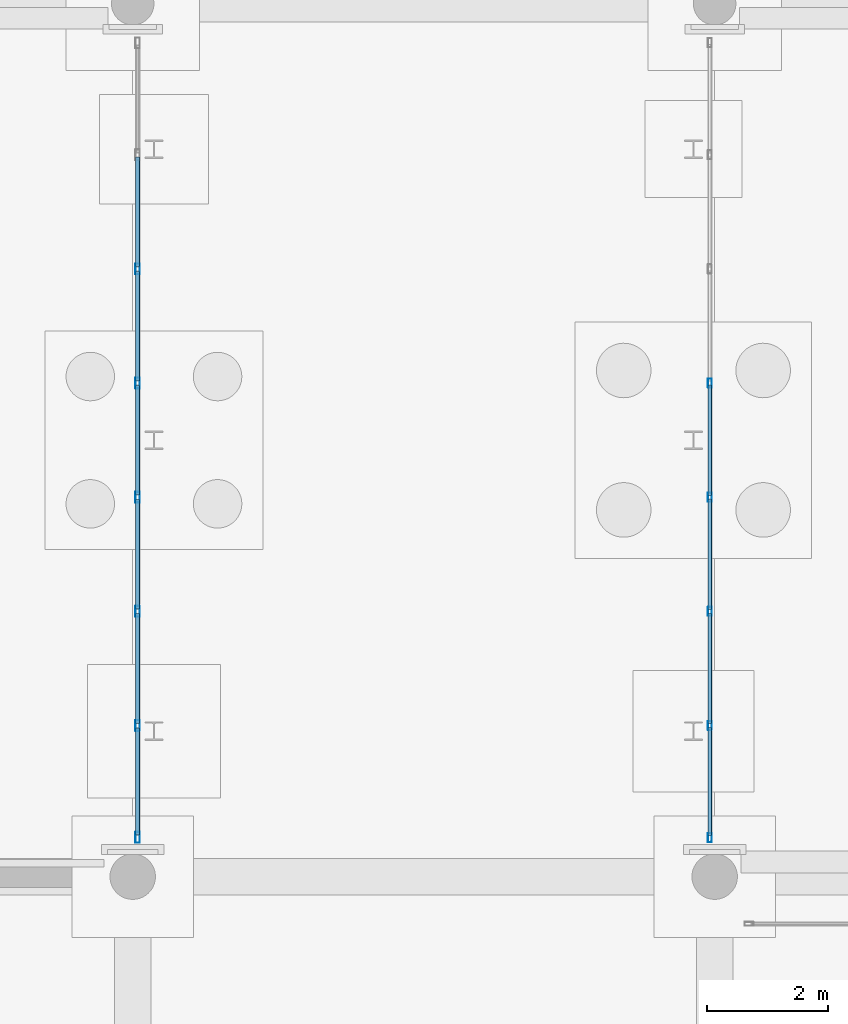
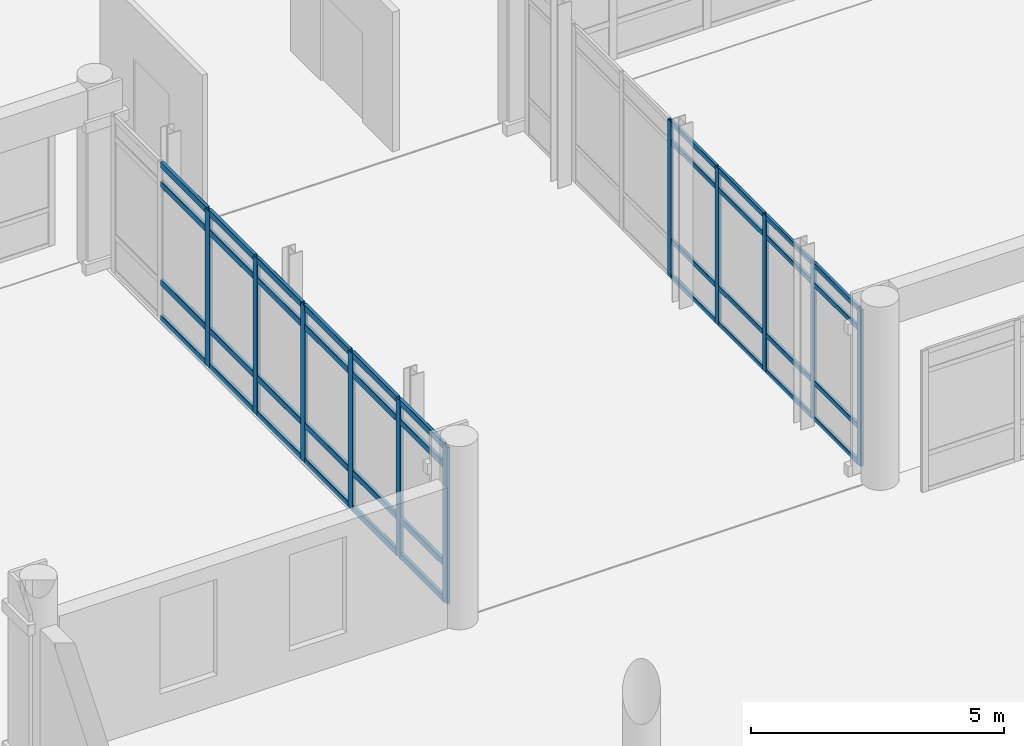
# One storey, part 112 of 196: 51 members, 2 elements without a shape of their own.
"""IFC4 building model written with IfcOpenShell, lengths in metres."""

from ifc_helpers import new_model, si_unit, direction, frame, origin, origin_2d, place, context, subcontext, project, spatial, hollow_rectangle, extrude, material, layer, layer_set, material_profile, profile_set, type_object, element, aggregate, save


model = new_model("IFC4")

# Units and contexts
model_context = context("Model", 3, precision=1e-05, world=origin(), true_north=direction((0.0, 1.0)))
body_context = subcontext(model_context, "Body", "Model", "MODEL_VIEW")
ifc_project = project(units=[si_unit("LENGTHUNIT", "METRE"), si_unit("AREAUNIT", "SQUARE_METRE"), si_unit("VOLUMEUNIT", "CUBIC_METRE"), si_unit("PLANEANGLEUNIT", "RADIAN"), si_unit("MASSUNIT", "GRAM", prefix="KILO")], contexts=[model_context])

# Site, building, storey
site_placement = place(None, origin())
site = spatial("IfcSite", under=ifc_project, at=site_placement, CompositionType="ELEMENT")
building_placement = place(site_placement, origin())
building = spatial("IfcBuilding", under=site, at=building_placement, Name="Asteropetra Specialist Clinic", CompositionType="ELEMENT")
storey_placement = place(building_placement, origin())
storey = spatial("IfcBuildingStorey", under=building, at=storey_placement, Name="L00", CompositionType="ELEMENT", Elevation=0.0)

# Curtain wall, members
ifc_material_1 = material(Name="Aluminium and low-E glass", Category="aluminium")
ifc_layer_1 = layer(ifc_material_1, 0.179931640625)
ifc_layer_set_1 = layer_set([ifc_layer_1], Name="Aluminium and low-E glass")
curtain_wall_type_1 = type_object("IfcCurtainWallType", Name="CW-SYS-01", PredefinedType="USERDEFINED", material=ifc_layer_set_1)
curtain_wall_1_placement = place(storey_placement, origin())
curtain_wall_1 = element("IfcCurtainWall", 1, at=curtain_wall_1_placement, inside=storey, type_object=curtain_wall_type_1, Name="Curtain Wall CW-118", ObjectType="UNITISED CURTAIN WALL", PredefinedType="USERDEFINED")
ifc_material_2 = material(Name="Aluminium 6063-T6", Category="aluminium")
ifc_material_profile_1 = material_profile(ifc_material_2, hollow_rectangle(XDim=0.06494140625, YDim=0.14990234375, WallThickness=0.00390625, InnerFilletRadius=0.00390625, OuterFilletRadius=0.008056640625, at=origin_2d()), Name="MUL 150x65x4.0")
ifc_profile_set_1 = profile_set([ifc_material_profile_1], Name="Aluminium 6063-T6")
member_type_1 = type_object("IfcMemberType", Name="CWM-150x65", PredefinedType="MULLION", material=ifc_profile_set_1)
member_1_placement = place(storey_placement, frame((124.719970703125, 70.54150390625, 0.0), z_axis=(0.0, 0.0, 1.0), x_axis=(1.0, 0.0, 0.0)))
member_1 = element("IfcMember", 2, at=member_1_placement, type_object=member_type_1, Name="CW-118 mullion 4", PredefinedType="MULLION", context=body_context, shape_type="SweptSolid", body=[
    extrude(hollow_rectangle(XDim=0.06494140625, YDim=0.14990234375, WallThickness=0.00390625, InnerFilletRadius=0.00390625, OuterFilletRadius=0.008056640625, at=origin_2d()), origin(), (0.0, 0.0, 1.0), 3.77001953125),
])
member_2_placement = place(storey_placement, frame((124.719970703125, 68.65869140625, 0.0), z_axis=(0.0, 0.0, 1.0), x_axis=(1.0, 0.0, 0.0)))
member_2 = element("IfcMember", 3, at=member_2_placement, type_object=member_type_1, Name="CW-118 mullion 5", PredefinedType="MULLION", context=body_context, shape_type="SweptSolid", body=[
    extrude(hollow_rectangle(XDim=0.06494140625, YDim=0.14990234375, WallThickness=0.00390625, InnerFilletRadius=0.00390625, OuterFilletRadius=0.008056640625, at=origin_2d()), origin(), (0.0, 0.0, 1.0), 3.77001953125),
])
member_3_placement = place(storey_placement, frame((124.719970703125, 66.775634765625, 0.0), z_axis=(0.0, 0.0, 1.0), x_axis=(1.0, 0.0, 0.0)))
member_3 = element("IfcMember", 4, at=member_3_placement, type_object=member_type_1, Name="CW-118 mullion 6", PredefinedType="MULLION", context=body_context, shape_type="SweptSolid", body=[
    extrude(hollow_rectangle(XDim=0.06494140625, YDim=0.14990234375, WallThickness=0.00390625, InnerFilletRadius=0.00390625, OuterFilletRadius=0.008056640625, at=origin_2d()), origin(), (0.0, 0.0, 1.0), 3.77001953125),
])
member_4_placement = place(storey_placement, frame((124.719970703125, 64.892822265625, 0.0), z_axis=(0.0, 0.0, 1.0), x_axis=(1.0, 0.0, 0.0)))
member_4 = element("IfcMember", 5, at=member_4_placement, type_object=member_type_1, Name="CW-118 mullion 7", PredefinedType="MULLION", context=body_context, shape_type="SweptSolid", body=[
    extrude(hollow_rectangle(XDim=0.06494140625, YDim=0.14990234375, WallThickness=0.00390625, InnerFilletRadius=0.00390625, OuterFilletRadius=0.008056640625, at=origin_2d()), origin(), (0.0, 0.0, 1.0), 3.77001953125),
])
member_5_placement = place(storey_placement, frame((124.719970703125, 63.04248046875, 0.0), z_axis=(0.0, 0.0, 1.0), x_axis=(1.0, 0.0, 0.0)))
member_5 = element("IfcMember", 6, at=member_5_placement, type_object=member_type_1, Name="CW-118 mullion 8", PredefinedType="MULLION", context=body_context, shape_type="SweptSolid", body=[
    extrude(hollow_rectangle(XDim=0.06494140625, YDim=0.14990234375, WallThickness=0.00390625, InnerFilletRadius=0.00390625, OuterFilletRadius=0.008056640625, at=origin_2d()), origin(), (0.0, 0.0, 1.0), 3.77001953125),
])

ifc_material_3 = material(Name="Aluminium and low-E glass", Category="aluminium")
ifc_layer_2 = layer(ifc_material_3, 0.135009765625)
ifc_layer_set_2 = layer_set([ifc_layer_2], Name="Aluminium and low-E glass")
curtain_wall_type_2 = type_object("IfcCurtainWallType", Name="CW-SYS-12", PredefinedType="USERDEFINED", material=ifc_layer_set_2)
curtain_wall_2_placement = place(storey_placement, origin())
curtain_wall_2 = element("IfcCurtainWall", 7, at=curtain_wall_2_placement, inside=storey, type_object=curtain_wall_type_2, Name="Curtain Wall CW-117", ObjectType="STICK GLAZED COLONNADE", PredefinedType="USERDEFINED")
ifc_material_4 = material(Name="Aluminium 6063-T6", Category="aluminium")
ifc_material_profile_2 = material_profile(ifc_material_4, hollow_rectangle(XDim=0.074951171875, YDim=0.179931640625, WallThickness=0.00390625, InnerFilletRadius=0.00390625, OuterFilletRadius=0.008056640625, at=origin_2d()), Name="MUL 180x75x4.0")
ifc_profile_set_2 = profile_set([ifc_material_profile_2], Name="Aluminium 6063-T6")
member_type_2 = type_object("IfcMemberType", Name="CWM-180x75", PredefinedType="MULLION", material=ifc_profile_set_2)
member_6_placement = place(storey_placement, frame((115.280029296875, 63.047607421875, 0.0), z_axis=(0.0, 0.0, 1.0), x_axis=(-1.0, 0.0, 0.0)))
member_6 = element("IfcMember", 8, at=member_6_placement, type_object=member_type_2, Name="CW-117 mullion 1", PredefinedType="MULLION", context=body_context, shape_type="SweptSolid", body=[
    extrude(hollow_rectangle(XDim=0.074951171875, YDim=0.179931640625, WallThickness=0.00390625, InnerFilletRadius=0.00390625, OuterFilletRadius=0.008056640625, at=origin_2d()), origin(), (0.0, 0.0, 1.0), 3.77001953125),
])
member_7_placement = place(storey_placement, frame((115.280029296875, 64.892822265625, 0.0), z_axis=(0.0, 0.0, 1.0), x_axis=(-1.0, 0.0, 0.0)))
member_7 = element("IfcMember", 9, at=member_7_placement, type_object=member_type_2, Name="CW-117 mullion 2", PredefinedType="MULLION", context=body_context, shape_type="SweptSolid", body=[
    extrude(hollow_rectangle(XDim=0.074951171875, YDim=0.179931640625, WallThickness=0.00390625, InnerFilletRadius=0.00390625, OuterFilletRadius=0.008056640625, at=origin_2d()), origin(), (0.0, 0.0, 1.0), 3.77001953125),
])
member_8_placement = place(storey_placement, frame((115.280029296875, 66.775634765625, 0.0), z_axis=(0.0, 0.0, 1.0), x_axis=(-1.0, 0.0, 0.0)))
member_8 = element("IfcMember", 10, at=member_8_placement, type_object=member_type_2, Name="CW-117 mullion 3", PredefinedType="MULLION", context=body_context, shape_type="SweptSolid", body=[
    extrude(hollow_rectangle(XDim=0.074951171875, YDim=0.179931640625, WallThickness=0.00390625, InnerFilletRadius=0.00390625, OuterFilletRadius=0.008056640625, at=origin_2d()), origin(), (0.0, 0.0, 1.0), 3.77001953125),
])
member_9_placement = place(storey_placement, frame((115.280029296875, 68.65869140625, 0.0), z_axis=(0.0, 0.0, 1.0), x_axis=(-1.0, 0.0, 0.0)))
member_9 = element("IfcMember", 11, at=member_9_placement, type_object=member_type_2, Name="CW-117 mullion 4", PredefinedType="MULLION", context=body_context, shape_type="SweptSolid", body=[
    extrude(hollow_rectangle(XDim=0.074951171875, YDim=0.179931640625, WallThickness=0.00390625, InnerFilletRadius=0.00390625, OuterFilletRadius=0.008056640625, at=origin_2d()), origin(), (0.0, 0.0, 1.0), 3.77001953125),
])
member_10_placement = place(storey_placement, frame((115.280029296875, 70.54150390625, 0.0), z_axis=(0.0, 0.0, 1.0), x_axis=(-1.0, 0.0, 0.0)))
member_10 = element("IfcMember", 12, at=member_10_placement, type_object=member_type_2, Name="CW-117 mullion 5", PredefinedType="MULLION", context=body_context, shape_type="SweptSolid", body=[
    extrude(hollow_rectangle(XDim=0.074951171875, YDim=0.179931640625, WallThickness=0.00390625, InnerFilletRadius=0.00390625, OuterFilletRadius=0.008056640625, at=origin_2d()), origin(), (0.0, 0.0, 1.0), 3.77001953125),
])
member_11_placement = place(storey_placement, frame((115.280029296875, 72.42431640625, 0.0), z_axis=(0.0, 0.0, 1.0), x_axis=(-1.0, 0.0, 0.0)))
member_11 = element("IfcMember", 13, at=member_11_placement, type_object=member_type_2, Name="CW-117 mullion 6", PredefinedType="MULLION", context=body_context, shape_type="SweptSolid", body=[
    extrude(hollow_rectangle(XDim=0.074951171875, YDim=0.179931640625, WallThickness=0.00390625, InnerFilletRadius=0.00390625, OuterFilletRadius=0.008056640625, at=origin_2d()), origin(), (0.0, 0.0, 1.0), 3.77001953125),
])

# Member
ifc_material_5 = material(Name="Aluminium 6063-T6", Category="aluminium")
ifc_material_profile_3 = material_profile(ifc_material_5, hollow_rectangle(XDim=0.06494140625, YDim=0.1201171875, WallThickness=0.00390625, InnerFilletRadius=0.00390625, OuterFilletRadius=0.008056640625, at=origin_2d()), Name="TRN 120x65x4.0")
ifc_profile_set_3 = profile_set([ifc_material_profile_3], Name="Aluminium 6063-T6")
member_type_3 = type_object("IfcMemberType", Name="CWT-120x65", PredefinedType="USERDEFINED", material=ifc_profile_set_3)
member_12_placement = place(storey_placement, frame((124.719970703125, 70.509033203125, 0.032470703125), z_axis=(0.0, -1.0, 0.0), x_axis=(1.0, 0.0, 0.0)))
member_12 = element("IfcMember", 14, at=member_12_placement, type_object=member_type_3, Name="CW-118 transom 4.1", ObjectType="TRANSOM", PredefinedType="USERDEFINED", context=body_context, shape_type="SweptSolid", body=[
    extrude(hollow_rectangle(XDim=0.06494140625, YDim=0.1201171875, WallThickness=0.00390625, InnerFilletRadius=0.00390625, OuterFilletRadius=0.008056640625, at=origin_2d()), origin(), (0.0, 0.0, 1.0), 1.81787109375),
])

member_13_placement = place(storey_placement, frame((124.719970703125, 70.509033203125, 0.89990234375), z_axis=(0.0, -1.0, 0.0), x_axis=(1.0, 0.0, 0.0)))
member_13 = element("IfcMember", 15, at=member_13_placement, type_object=member_type_3, Name="CW-118 transom 4.2", ObjectType="TRANSOM", PredefinedType="USERDEFINED", context=body_context, shape_type="SweptSolid", body=[
    extrude(hollow_rectangle(XDim=0.06494140625, YDim=0.1201171875, WallThickness=0.00390625, InnerFilletRadius=0.00390625, OuterFilletRadius=0.008056640625, at=origin_2d()), origin(), (0.0, 0.0, 1.0), 1.81787109375),
])

member_14_placement = place(storey_placement, frame((124.719970703125, 70.509033203125, 3.27001953125), z_axis=(0.0, -1.0, 0.0), x_axis=(1.0, 0.0, 0.0)))
member_14 = element("IfcMember", 16, at=member_14_placement, type_object=member_type_3, Name="CW-118 transom 4.3", ObjectType="TRANSOM", PredefinedType="USERDEFINED", context=body_context, shape_type="SweptSolid", body=[
    extrude(hollow_rectangle(XDim=0.06494140625, YDim=0.1201171875, WallThickness=0.00390625, InnerFilletRadius=0.00390625, OuterFilletRadius=0.008056640625, at=origin_2d()), origin(), (0.0, 0.0, 1.0), 1.81787109375),
])

member_15_placement = place(storey_placement, frame((124.719970703125, 70.509033203125, 3.737548828125), z_axis=(0.0, -1.0, 0.0), x_axis=(1.0, 0.0, 0.0)))
member_15 = element("IfcMember", 17, at=member_15_placement, type_object=member_type_3, Name="CW-118 transom 4.4", ObjectType="TRANSOM", PredefinedType="USERDEFINED", context=body_context, shape_type="SweptSolid", body=[
    extrude(hollow_rectangle(XDim=0.06494140625, YDim=0.1201171875, WallThickness=0.00390625, InnerFilletRadius=0.00390625, OuterFilletRadius=0.008056640625, at=origin_2d()), origin(), (0.0, 0.0, 1.0), 1.81787109375),
])

member_16_placement = place(storey_placement, frame((124.719970703125, 68.6259765625, 0.032470703125), z_axis=(0.0, -1.0, 0.0), x_axis=(1.0, 0.0, 0.0)))
member_16 = element("IfcMember", 18, at=member_16_placement, type_object=member_type_3, Name="CW-118 transom 5.1", ObjectType="TRANSOM", PredefinedType="USERDEFINED", context=body_context, shape_type="SweptSolid", body=[
    extrude(hollow_rectangle(XDim=0.06494140625, YDim=0.1201171875, WallThickness=0.00390625, InnerFilletRadius=0.00390625, OuterFilletRadius=0.008056640625, at=origin_2d()), origin(), (0.0, 0.0, 1.0), 1.81787109375),
])

member_17_placement = place(storey_placement, frame((124.719970703125, 68.6259765625, 0.89990234375), z_axis=(0.0, -1.0, 0.0), x_axis=(1.0, 0.0, 0.0)))
member_17 = element("IfcMember", 19, at=member_17_placement, type_object=member_type_3, Name="CW-118 transom 5.2", ObjectType="TRANSOM", PredefinedType="USERDEFINED", context=body_context, shape_type="SweptSolid", body=[
    extrude(hollow_rectangle(XDim=0.06494140625, YDim=0.1201171875, WallThickness=0.00390625, InnerFilletRadius=0.00390625, OuterFilletRadius=0.008056640625, at=origin_2d()), origin(), (0.0, 0.0, 1.0), 1.81787109375),
])

member_18_placement = place(storey_placement, frame((124.719970703125, 68.6259765625, 3.27001953125), z_axis=(0.0, -1.0, 0.0), x_axis=(1.0, 0.0, 0.0)))
member_18 = element("IfcMember", 20, at=member_18_placement, type_object=member_type_3, Name="CW-118 transom 5.3", ObjectType="TRANSOM", PredefinedType="USERDEFINED", context=body_context, shape_type="SweptSolid", body=[
    extrude(hollow_rectangle(XDim=0.06494140625, YDim=0.1201171875, WallThickness=0.00390625, InnerFilletRadius=0.00390625, OuterFilletRadius=0.008056640625, at=origin_2d()), origin(), (0.0, 0.0, 1.0), 1.81787109375),
])

member_19_placement = place(storey_placement, frame((124.719970703125, 68.6259765625, 3.737548828125), z_axis=(0.0, -1.0, 0.0), x_axis=(1.0, 0.0, 0.0)))
member_19 = element("IfcMember", 21, at=member_19_placement, type_object=member_type_3, Name="CW-118 transom 5.4", ObjectType="TRANSOM", PredefinedType="USERDEFINED", context=body_context, shape_type="SweptSolid", body=[
    extrude(hollow_rectangle(XDim=0.06494140625, YDim=0.1201171875, WallThickness=0.00390625, InnerFilletRadius=0.00390625, OuterFilletRadius=0.008056640625, at=origin_2d()), origin(), (0.0, 0.0, 1.0), 1.81787109375),
])

member_20_placement = place(storey_placement, frame((124.719970703125, 66.7431640625, 0.032470703125), z_axis=(0.0, -1.0, 0.0), x_axis=(1.0, 0.0, 0.0)))
member_20 = element("IfcMember", 22, at=member_20_placement, type_object=member_type_3, Name="CW-118 transom 6.1", ObjectType="TRANSOM", PredefinedType="USERDEFINED", context=body_context, shape_type="SweptSolid", body=[
    extrude(hollow_rectangle(XDim=0.06494140625, YDim=0.1201171875, WallThickness=0.00390625, InnerFilletRadius=0.00390625, OuterFilletRadius=0.008056640625, at=origin_2d()), origin(), (0.0, 0.0, 1.0), 1.81787109375),
])

member_21_placement = place(storey_placement, frame((124.719970703125, 66.7431640625, 0.89990234375), z_axis=(0.0, -1.0, 0.0), x_axis=(1.0, 0.0, 0.0)))
member_21 = element("IfcMember", 23, at=member_21_placement, type_object=member_type_3, Name="CW-118 transom 6.2", ObjectType="TRANSOM", PredefinedType="USERDEFINED", context=body_context, shape_type="SweptSolid", body=[
    extrude(hollow_rectangle(XDim=0.06494140625, YDim=0.1201171875, WallThickness=0.00390625, InnerFilletRadius=0.00390625, OuterFilletRadius=0.008056640625, at=origin_2d()), origin(), (0.0, 0.0, 1.0), 1.81787109375),
])

member_22_placement = place(storey_placement, frame((124.719970703125, 66.7431640625, 3.27001953125), z_axis=(0.0, -1.0, 0.0), x_axis=(1.0, 0.0, 0.0)))
member_22 = element("IfcMember", 24, at=member_22_placement, type_object=member_type_3, Name="CW-118 transom 6.3", ObjectType="TRANSOM", PredefinedType="USERDEFINED", context=body_context, shape_type="SweptSolid", body=[
    extrude(hollow_rectangle(XDim=0.06494140625, YDim=0.1201171875, WallThickness=0.00390625, InnerFilletRadius=0.00390625, OuterFilletRadius=0.008056640625, at=origin_2d()), origin(), (0.0, 0.0, 1.0), 1.81787109375),
])

member_23_placement = place(storey_placement, frame((124.719970703125, 66.7431640625, 3.737548828125), z_axis=(0.0, -1.0, 0.0), x_axis=(1.0, 0.0, 0.0)))
member_23 = element("IfcMember", 25, at=member_23_placement, type_object=member_type_3, Name="CW-118 transom 6.4", ObjectType="TRANSOM", PredefinedType="USERDEFINED", context=body_context, shape_type="SweptSolid", body=[
    extrude(hollow_rectangle(XDim=0.06494140625, YDim=0.1201171875, WallThickness=0.00390625, InnerFilletRadius=0.00390625, OuterFilletRadius=0.008056640625, at=origin_2d()), origin(), (0.0, 0.0, 1.0), 1.81787109375),
])

member_24_placement = place(storey_placement, frame((124.719970703125, 64.8603515625, 0.032470703125), z_axis=(0.0, -1.0, 0.0), x_axis=(1.0, 0.0, 0.0)))
member_24 = element("IfcMember", 26, at=member_24_placement, type_object=member_type_3, Name="CW-118 transom 7.1", ObjectType="TRANSOM", PredefinedType="USERDEFINED", context=body_context, shape_type="SweptSolid", body=[
    extrude(hollow_rectangle(XDim=0.06494140625, YDim=0.1201171875, WallThickness=0.00390625, InnerFilletRadius=0.00390625, OuterFilletRadius=0.008056640625, at=origin_2d()), origin(), (0.0, 0.0, 1.0), 1.785400390625),
])

member_25_placement = place(storey_placement, frame((124.719970703125, 64.8603515625, 0.89990234375), z_axis=(0.0, -1.0, 0.0), x_axis=(1.0, 0.0, 0.0)))
member_25 = element("IfcMember", 27, at=member_25_placement, type_object=member_type_3, Name="CW-118 transom 7.2", ObjectType="TRANSOM", PredefinedType="USERDEFINED", context=body_context, shape_type="SweptSolid", body=[
    extrude(hollow_rectangle(XDim=0.06494140625, YDim=0.1201171875, WallThickness=0.00390625, InnerFilletRadius=0.00390625, OuterFilletRadius=0.008056640625, at=origin_2d()), origin(), (0.0, 0.0, 1.0), 1.785400390625),
])

member_26_placement = place(storey_placement, frame((124.719970703125, 64.8603515625, 3.27001953125), z_axis=(0.0, -1.0, 0.0), x_axis=(1.0, 0.0, 0.0)))
member_26 = element("IfcMember", 28, at=member_26_placement, type_object=member_type_3, Name="CW-118 transom 7.3", ObjectType="TRANSOM", PredefinedType="USERDEFINED", context=body_context, shape_type="SweptSolid", body=[
    extrude(hollow_rectangle(XDim=0.06494140625, YDim=0.1201171875, WallThickness=0.00390625, InnerFilletRadius=0.00390625, OuterFilletRadius=0.008056640625, at=origin_2d()), origin(), (0.0, 0.0, 1.0), 1.785400390625),
])

member_27_placement = place(storey_placement, frame((124.719970703125, 64.8603515625, 3.737548828125), z_axis=(0.0, -1.0, 0.0), x_axis=(1.0, 0.0, 0.0)))
member_27 = element("IfcMember", 29, at=member_27_placement, type_object=member_type_3, Name="CW-118 transom 7.4", ObjectType="TRANSOM", PredefinedType="USERDEFINED", context=body_context, shape_type="SweptSolid", body=[
    extrude(hollow_rectangle(XDim=0.06494140625, YDim=0.1201171875, WallThickness=0.00390625, InnerFilletRadius=0.00390625, OuterFilletRadius=0.008056640625, at=origin_2d()), origin(), (0.0, 0.0, 1.0), 1.785400390625),
])

aggregate(curtain_wall_1, [member_1, member_2, member_3, member_4, member_5, member_12, member_13, member_14, member_15, member_16, member_17, member_18, member_19, member_20, member_21, member_22, member_23, member_24, member_25, member_26, member_27])

ifc_material_6 = material(Name="Aluminium 6063-T6", Category="aluminium")
ifc_material_profile_4 = material_profile(ifc_material_6, hollow_rectangle(XDim=0.074951171875, YDim=0.14990234375, WallThickness=0.00390625, InnerFilletRadius=0.00390625, OuterFilletRadius=0.008056640625, at=origin_2d()), Name="TRN 150x75x4.0")
ifc_profile_set_4 = profile_set([ifc_material_profile_4], Name="Aluminium 6063-T6")
member_type_4 = type_object("IfcMemberType", Name="CWT-150x75", PredefinedType="USERDEFINED", material=ifc_profile_set_4)
member_28_placement = place(storey_placement, frame((115.280029296875, 63.0849609375, 0.03759765625), z_axis=(0.0, 1.0, 0.0), x_axis=(-1.0, 0.0, 0.0)))
member_28 = element("IfcMember", 30, at=member_28_placement, type_object=member_type_4, Name="CW-117 transom 1.1", ObjectType="TRANSOM", PredefinedType="USERDEFINED", context=body_context, shape_type="SweptSolid", body=[
    extrude(hollow_rectangle(XDim=0.074951171875, YDim=0.14990234375, WallThickness=0.00390625, InnerFilletRadius=0.00390625, OuterFilletRadius=0.008056640625, at=origin_2d()), origin(), (0.0, 0.0, 1.0), 1.7705078125),
])

member_29_placement = place(storey_placement, frame((115.280029296875, 63.0849609375, 0.89990234375), z_axis=(0.0, 1.0, 0.0), x_axis=(-1.0, 0.0, 0.0)))
member_29 = element("IfcMember", 31, at=member_29_placement, type_object=member_type_4, Name="CW-117 transom 1.2", ObjectType="TRANSOM", PredefinedType="USERDEFINED", context=body_context, shape_type="SweptSolid", body=[
    extrude(hollow_rectangle(XDim=0.074951171875, YDim=0.14990234375, WallThickness=0.00390625, InnerFilletRadius=0.00390625, OuterFilletRadius=0.008056640625, at=origin_2d()), origin(), (0.0, 0.0, 1.0), 1.7705078125),
])

member_30_placement = place(storey_placement, frame((115.280029296875, 63.0849609375, 3.27001953125), z_axis=(0.0, 1.0, 0.0), x_axis=(-1.0, 0.0, 0.0)))
member_30 = element("IfcMember", 32, at=member_30_placement, type_object=member_type_4, Name="CW-117 transom 1.3", ObjectType="TRANSOM", PredefinedType="USERDEFINED", context=body_context, shape_type="SweptSolid", body=[
    extrude(hollow_rectangle(XDim=0.074951171875, YDim=0.14990234375, WallThickness=0.00390625, InnerFilletRadius=0.00390625, OuterFilletRadius=0.008056640625, at=origin_2d()), origin(), (0.0, 0.0, 1.0), 1.7705078125),
])

member_31_placement = place(storey_placement, frame((115.280029296875, 63.0849609375, 3.732421875), z_axis=(0.0, 1.0, 0.0), x_axis=(-1.0, 0.0, 0.0)))
member_31 = element("IfcMember", 33, at=member_31_placement, type_object=member_type_4, Name="CW-117 transom 1.4", ObjectType="TRANSOM", PredefinedType="USERDEFINED", context=body_context, shape_type="SweptSolid", body=[
    extrude(hollow_rectangle(XDim=0.074951171875, YDim=0.14990234375, WallThickness=0.00390625, InnerFilletRadius=0.00390625, OuterFilletRadius=0.008056640625, at=origin_2d()), origin(), (0.0, 0.0, 1.0), 1.7705078125),
])

member_32_placement = place(storey_placement, frame((115.280029296875, 64.930419921875, 0.03759765625), z_axis=(0.0, 1.0, 0.0), x_axis=(-1.0, 0.0, 0.0)))
member_32 = element("IfcMember", 34, at=member_32_placement, type_object=member_type_4, Name="CW-117 transom 2.1", ObjectType="TRANSOM", PredefinedType="USERDEFINED", context=body_context, shape_type="SweptSolid", body=[
    extrude(hollow_rectangle(XDim=0.074951171875, YDim=0.14990234375, WallThickness=0.00390625, InnerFilletRadius=0.00390625, OuterFilletRadius=0.008056640625, at=origin_2d()), origin(), (0.0, 0.0, 1.0), 1.807861328125),
])

member_33_placement = place(storey_placement, frame((115.280029296875, 64.930419921875, 0.89990234375), z_axis=(0.0, 1.0, 0.0), x_axis=(-1.0, 0.0, 0.0)))
member_33 = element("IfcMember", 35, at=member_33_placement, type_object=member_type_4, Name="CW-117 transom 2.2", ObjectType="TRANSOM", PredefinedType="USERDEFINED", context=body_context, shape_type="SweptSolid", body=[
    extrude(hollow_rectangle(XDim=0.074951171875, YDim=0.14990234375, WallThickness=0.00390625, InnerFilletRadius=0.00390625, OuterFilletRadius=0.008056640625, at=origin_2d()), origin(), (0.0, 0.0, 1.0), 1.807861328125),
])

member_34_placement = place(storey_placement, frame((115.280029296875, 64.930419921875, 3.27001953125), z_axis=(0.0, 1.0, 0.0), x_axis=(-1.0, 0.0, 0.0)))
member_34 = element("IfcMember", 36, at=member_34_placement, type_object=member_type_4, Name="CW-117 transom 2.3", ObjectType="TRANSOM", PredefinedType="USERDEFINED", context=body_context, shape_type="SweptSolid", body=[
    extrude(hollow_rectangle(XDim=0.074951171875, YDim=0.14990234375, WallThickness=0.00390625, InnerFilletRadius=0.00390625, OuterFilletRadius=0.008056640625, at=origin_2d()), origin(), (0.0, 0.0, 1.0), 1.807861328125),
])

member_35_placement = place(storey_placement, frame((115.280029296875, 64.930419921875, 3.732421875), z_axis=(0.0, 1.0, 0.0), x_axis=(-1.0, 0.0, 0.0)))
member_35 = element("IfcMember", 37, at=member_35_placement, type_object=member_type_4, Name="CW-117 transom 2.4", ObjectType="TRANSOM", PredefinedType="USERDEFINED", context=body_context, shape_type="SweptSolid", body=[
    extrude(hollow_rectangle(XDim=0.074951171875, YDim=0.14990234375, WallThickness=0.00390625, InnerFilletRadius=0.00390625, OuterFilletRadius=0.008056640625, at=origin_2d()), origin(), (0.0, 0.0, 1.0), 1.807861328125),
])

member_36_placement = place(storey_placement, frame((115.280029296875, 66.813232421875, 0.03759765625), z_axis=(0.0, 1.0, 0.0), x_axis=(-1.0, 0.0, 0.0)))
member_36 = element("IfcMember", 38, at=member_36_placement, type_object=member_type_4, Name="CW-117 transom 3.1", ObjectType="TRANSOM", PredefinedType="USERDEFINED", context=body_context, shape_type="SweptSolid", body=[
    extrude(hollow_rectangle(XDim=0.074951171875, YDim=0.14990234375, WallThickness=0.00390625, InnerFilletRadius=0.00390625, OuterFilletRadius=0.008056640625, at=origin_2d()), origin(), (0.0, 0.0, 1.0), 1.807861328125),
])

member_37_placement = place(storey_placement, frame((115.280029296875, 66.813232421875, 0.89990234375), z_axis=(0.0, 1.0, 0.0), x_axis=(-1.0, 0.0, 0.0)))
member_37 = element("IfcMember", 39, at=member_37_placement, type_object=member_type_4, Name="CW-117 transom 3.2", ObjectType="TRANSOM", PredefinedType="USERDEFINED", context=body_context, shape_type="SweptSolid", body=[
    extrude(hollow_rectangle(XDim=0.074951171875, YDim=0.14990234375, WallThickness=0.00390625, InnerFilletRadius=0.00390625, OuterFilletRadius=0.008056640625, at=origin_2d()), origin(), (0.0, 0.0, 1.0), 1.807861328125),
])

member_38_placement = place(storey_placement, frame((115.280029296875, 66.813232421875, 3.27001953125), z_axis=(0.0, 1.0, 0.0), x_axis=(-1.0, 0.0, 0.0)))
member_38 = element("IfcMember", 40, at=member_38_placement, type_object=member_type_4, Name="CW-117 transom 3.3", ObjectType="TRANSOM", PredefinedType="USERDEFINED", context=body_context, shape_type="SweptSolid", body=[
    extrude(hollow_rectangle(XDim=0.074951171875, YDim=0.14990234375, WallThickness=0.00390625, InnerFilletRadius=0.00390625, OuterFilletRadius=0.008056640625, at=origin_2d()), origin(), (0.0, 0.0, 1.0), 1.807861328125),
])

member_39_placement = place(storey_placement, frame((115.280029296875, 66.813232421875, 3.732421875), z_axis=(0.0, 1.0, 0.0), x_axis=(-1.0, 0.0, 0.0)))
member_39 = element("IfcMember", 41, at=member_39_placement, type_object=member_type_4, Name="CW-117 transom 3.4", ObjectType="TRANSOM", PredefinedType="USERDEFINED", context=body_context, shape_type="SweptSolid", body=[
    extrude(hollow_rectangle(XDim=0.074951171875, YDim=0.14990234375, WallThickness=0.00390625, InnerFilletRadius=0.00390625, OuterFilletRadius=0.008056640625, at=origin_2d()), origin(), (0.0, 0.0, 1.0), 1.807861328125),
])

member_40_placement = place(storey_placement, frame((115.280029296875, 68.696044921875, 0.03759765625), z_axis=(0.0, 1.0, 0.0), x_axis=(-1.0, 0.0, 0.0)))
member_40 = element("IfcMember", 42, at=member_40_placement, type_object=member_type_4, Name="CW-117 transom 4.1", ObjectType="TRANSOM", PredefinedType="USERDEFINED", context=body_context, shape_type="SweptSolid", body=[
    extrude(hollow_rectangle(XDim=0.074951171875, YDim=0.14990234375, WallThickness=0.00390625, InnerFilletRadius=0.00390625, OuterFilletRadius=0.008056640625, at=origin_2d()), origin(), (0.0, 0.0, 1.0), 1.807861328125),
])

member_41_placement = place(storey_placement, frame((115.280029296875, 68.696044921875, 0.89990234375), z_axis=(0.0, 1.0, 0.0), x_axis=(-1.0, 0.0, 0.0)))
member_41 = element("IfcMember", 43, at=member_41_placement, type_object=member_type_4, Name="CW-117 transom 4.2", ObjectType="TRANSOM", PredefinedType="USERDEFINED", context=body_context, shape_type="SweptSolid", body=[
    extrude(hollow_rectangle(XDim=0.074951171875, YDim=0.14990234375, WallThickness=0.00390625, InnerFilletRadius=0.00390625, OuterFilletRadius=0.008056640625, at=origin_2d()), origin(), (0.0, 0.0, 1.0), 1.807861328125),
])

member_42_placement = place(storey_placement, frame((115.280029296875, 68.696044921875, 3.27001953125), z_axis=(0.0, 1.0, 0.0), x_axis=(-1.0, 0.0, 0.0)))
member_42 = element("IfcMember", 44, at=member_42_placement, type_object=member_type_4, Name="CW-117 transom 4.3", ObjectType="TRANSOM", PredefinedType="USERDEFINED", context=body_context, shape_type="SweptSolid", body=[
    extrude(hollow_rectangle(XDim=0.074951171875, YDim=0.14990234375, WallThickness=0.00390625, InnerFilletRadius=0.00390625, OuterFilletRadius=0.008056640625, at=origin_2d()), origin(), (0.0, 0.0, 1.0), 1.807861328125),
])

member_43_placement = place(storey_placement, frame((115.280029296875, 68.696044921875, 3.732421875), z_axis=(0.0, 1.0, 0.0), x_axis=(-1.0, 0.0, 0.0)))
member_43 = element("IfcMember", 45, at=member_43_placement, type_object=member_type_4, Name="CW-117 transom 4.4", ObjectType="TRANSOM", PredefinedType="USERDEFINED", context=body_context, shape_type="SweptSolid", body=[
    extrude(hollow_rectangle(XDim=0.074951171875, YDim=0.14990234375, WallThickness=0.00390625, InnerFilletRadius=0.00390625, OuterFilletRadius=0.008056640625, at=origin_2d()), origin(), (0.0, 0.0, 1.0), 1.807861328125),
])

member_44_placement = place(storey_placement, frame((115.280029296875, 70.578857421875, 0.03759765625), z_axis=(0.0, 1.0, 0.0), x_axis=(-1.0, 0.0, 0.0)))
member_44 = element("IfcMember", 46, at=member_44_placement, type_object=member_type_4, Name="CW-117 transom 5.1", ObjectType="TRANSOM", PredefinedType="USERDEFINED", context=body_context, shape_type="SweptSolid", body=[
    extrude(hollow_rectangle(XDim=0.074951171875, YDim=0.14990234375, WallThickness=0.00390625, InnerFilletRadius=0.00390625, OuterFilletRadius=0.008056640625, at=origin_2d()), origin(), (0.0, 0.0, 1.0), 1.807861328125),
])

member_45_placement = place(storey_placement, frame((115.280029296875, 70.578857421875, 0.89990234375), z_axis=(0.0, 1.0, 0.0), x_axis=(-1.0, 0.0, 0.0)))
member_45 = element("IfcMember", 47, at=member_45_placement, type_object=member_type_4, Name="CW-117 transom 5.2", ObjectType="TRANSOM", PredefinedType="USERDEFINED", context=body_context, shape_type="SweptSolid", body=[
    extrude(hollow_rectangle(XDim=0.074951171875, YDim=0.14990234375, WallThickness=0.00390625, InnerFilletRadius=0.00390625, OuterFilletRadius=0.008056640625, at=origin_2d()), origin(), (0.0, 0.0, 1.0), 1.807861328125),
])

member_46_placement = place(storey_placement, frame((115.280029296875, 70.578857421875, 3.27001953125), z_axis=(0.0, 1.0, 0.0), x_axis=(-1.0, 0.0, 0.0)))
member_46 = element("IfcMember", 48, at=member_46_placement, type_object=member_type_4, Name="CW-117 transom 5.3", ObjectType="TRANSOM", PredefinedType="USERDEFINED", context=body_context, shape_type="SweptSolid", body=[
    extrude(hollow_rectangle(XDim=0.074951171875, YDim=0.14990234375, WallThickness=0.00390625, InnerFilletRadius=0.00390625, OuterFilletRadius=0.008056640625, at=origin_2d()), origin(), (0.0, 0.0, 1.0), 1.807861328125),
])

member_47_placement = place(storey_placement, frame((115.280029296875, 70.578857421875, 3.732421875), z_axis=(0.0, 1.0, 0.0), x_axis=(-1.0, 0.0, 0.0)))
member_47 = element("IfcMember", 49, at=member_47_placement, type_object=member_type_4, Name="CW-117 transom 5.4", ObjectType="TRANSOM", PredefinedType="USERDEFINED", context=body_context, shape_type="SweptSolid", body=[
    extrude(hollow_rectangle(XDim=0.074951171875, YDim=0.14990234375, WallThickness=0.00390625, InnerFilletRadius=0.00390625, OuterFilletRadius=0.008056640625, at=origin_2d()), origin(), (0.0, 0.0, 1.0), 1.807861328125),
])

member_48_placement = place(storey_placement, frame((115.280029296875, 72.461669921875, 0.03759765625), z_axis=(0.0, 1.0, 0.0), x_axis=(-1.0, 0.0, 0.0)))
member_48 = element("IfcMember", 50, at=member_48_placement, type_object=member_type_4, Name="CW-117 transom 6.1", ObjectType="TRANSOM", PredefinedType="USERDEFINED", context=body_context, shape_type="SweptSolid", body=[
    extrude(hollow_rectangle(XDim=0.074951171875, YDim=0.14990234375, WallThickness=0.00390625, InnerFilletRadius=0.00390625, OuterFilletRadius=0.008056640625, at=origin_2d()), origin(), (0.0, 0.0, 1.0), 1.807861328125),
])

member_49_placement = place(storey_placement, frame((115.280029296875, 72.461669921875, 0.89990234375), z_axis=(0.0, 1.0, 0.0), x_axis=(-1.0, 0.0, 0.0)))
member_49 = element("IfcMember", 51, at=member_49_placement, type_object=member_type_4, Name="CW-117 transom 6.2", ObjectType="TRANSOM", PredefinedType="USERDEFINED", context=body_context, shape_type="SweptSolid", body=[
    extrude(hollow_rectangle(XDim=0.074951171875, YDim=0.14990234375, WallThickness=0.00390625, InnerFilletRadius=0.00390625, OuterFilletRadius=0.008056640625, at=origin_2d()), origin(), (0.0, 0.0, 1.0), 1.807861328125),
])

member_50_placement = place(storey_placement, frame((115.280029296875, 72.461669921875, 3.27001953125), z_axis=(0.0, 1.0, 0.0), x_axis=(-1.0, 0.0, 0.0)))
member_50 = element("IfcMember", 52, at=member_50_placement, type_object=member_type_4, Name="CW-117 transom 6.3", ObjectType="TRANSOM", PredefinedType="USERDEFINED", context=body_context, shape_type="SweptSolid", body=[
    extrude(hollow_rectangle(XDim=0.074951171875, YDim=0.14990234375, WallThickness=0.00390625, InnerFilletRadius=0.00390625, OuterFilletRadius=0.008056640625, at=origin_2d()), origin(), (0.0, 0.0, 1.0), 1.807861328125),
])

member_51_placement = place(storey_placement, frame((115.280029296875, 72.461669921875, 3.732421875), z_axis=(0.0, 1.0, 0.0), x_axis=(-1.0, 0.0, 0.0)))
member_51 = element("IfcMember", 53, at=member_51_placement, type_object=member_type_4, Name="CW-117 transom 6.4", ObjectType="TRANSOM", PredefinedType="USERDEFINED", context=body_context, shape_type="SweptSolid", body=[
    extrude(hollow_rectangle(XDim=0.074951171875, YDim=0.14990234375, WallThickness=0.00390625, InnerFilletRadius=0.00390625, OuterFilletRadius=0.008056640625, at=origin_2d()), origin(), (0.0, 0.0, 1.0), 1.807861328125),
])

aggregate(curtain_wall_2, [member_6, member_7, member_8, member_9, member_10, member_11, member_28, member_29, member_30, member_31, member_32, member_33, member_34, member_35, member_36, member_37, member_38, member_39, member_40, member_41, member_42, member_43, member_44, member_45, member_46, member_47, member_48, member_49, member_50, member_51])

save(model, "model.ifc")
